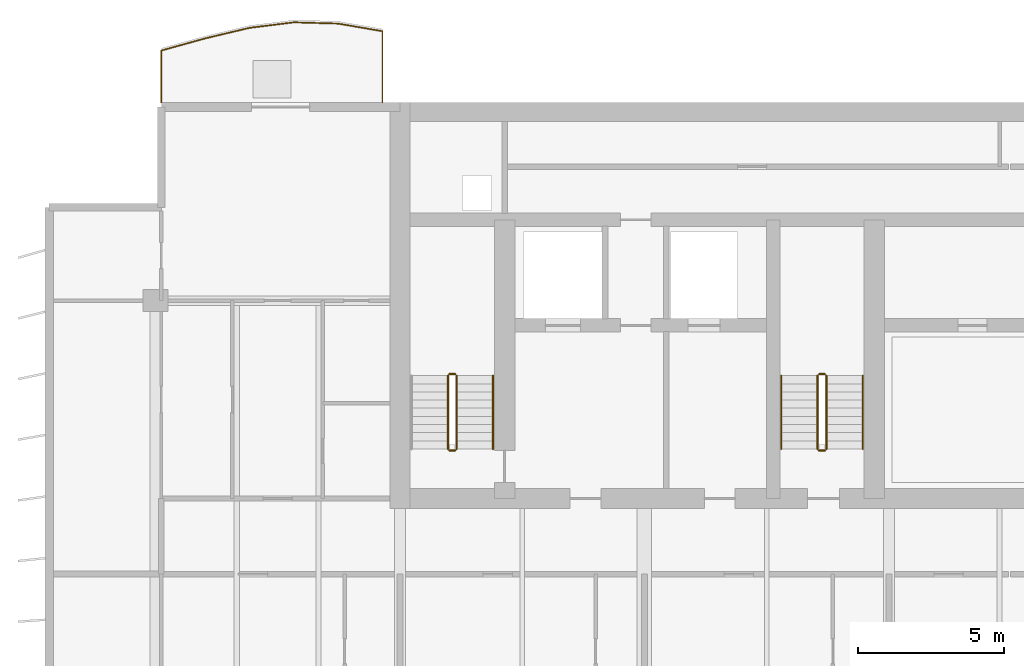
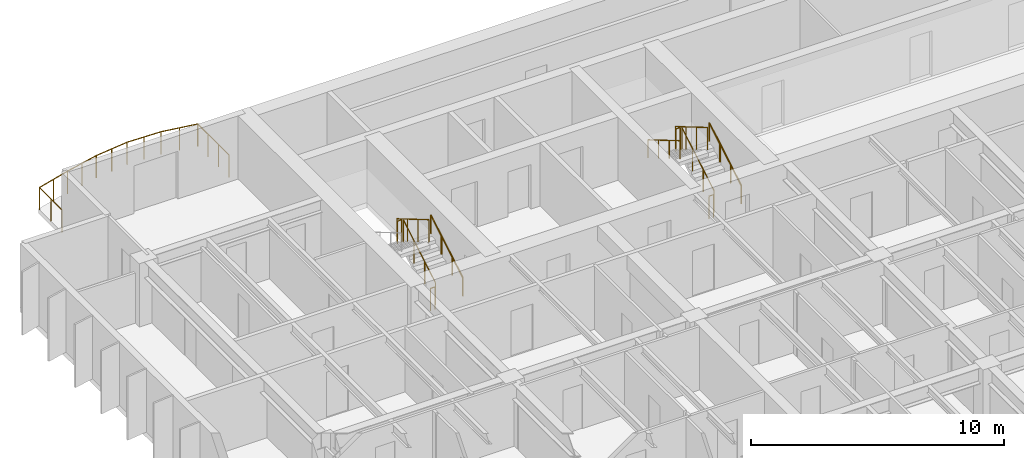
# One storey, part 17 of 19: 12 railings.
"""IFC4 building model written with IfcOpenShell, lengths in metres."""

from ifc_helpers import new_model, si_unit, direction, frame, origin, origin_2d, place, context, subcontext, project, spatial, circle, extrude, material, type_object, element, save


model = new_model("IFC4")

# Units and contexts
model_context = context("Model", 3, precision=1e-05, world=origin(), true_north=direction((0.0, 1.0)))
body_context = subcontext(model_context, "Body", "Model", "MODEL_VIEW")
ifc_project = project(units=[si_unit("LENGTHUNIT", "METRE"), si_unit("AREAUNIT", "SQUARE_METRE"), si_unit("VOLUMEUNIT", "CUBIC_METRE"), si_unit("PLANEANGLEUNIT", "RADIAN"), si_unit("MASSUNIT", "GRAM", prefix="KILO")], contexts=[model_context])

# Site, building, storey
site_placement = place(None, origin())
site = spatial("IfcSite", under=ifc_project, at=site_placement, CompositionType="ELEMENT")
building_placement = place(site_placement, origin())
building = spatial("IfcBuilding", under=site, at=building_placement, Name="Caelmar Bay Residences", CompositionType="ELEMENT")
storey_placement = place(building_placement, frame((0.0, 0.0, 214.800048828125)))
storey = spatial("IfcBuildingStorey", under=building, at=storey_placement, Name="L60", CompositionType="ELEMENT", Elevation=214.800048828125)

# Railings
ifc_material_1 = material(Name="Anodised bronze handrail with laminated hurricane glass infill", Category="glass")
railing_type_1 = type_object("IfcRailingType", Name="RL-BAL-1100", PredefinedType="BALUSTRADE", material=ifc_material_1)
railing_1_placement = place(storey_placement, frame((17.699951171875, 50.60009765625, 0.0)))
element("IfcRailing", 1, at=railing_1_placement, inside=storey, type_object=railing_type_1, Name="L60 north_west Balcony Balustrade", PredefinedType="BALUSTRADE", context=body_context, shape_type="SweptSolid", body=[
    extrude(circle(Radius=0.02392578125, at=origin_2d()), frame((0.0, 0.0, 1.076171875), z_axis=(0.0, 1.0, 0.0), x_axis=(-1.0, 0.0, 0.0)), (0.0, 0.0, 1.0), 2.45166015625),
    extrude(circle(Radius=0.02392578125, at=origin_2d()), frame((0.0, 2.45166015625, 1.076171875), z_axis=(-0.985445490472, 0.169991721293, 0.0), x_axis=(-0.169991721293, -0.985445490472, 0.0)), (0.0, 0.0, 1.0), 1.54248046875),
    extrude(circle(Radius=0.02392578125, at=origin_2d()), frame((-1.52001953125, 2.7138671875, 1.076171875), z_axis=(-0.999582338318, 0.028898943286, 0.0), x_axis=(-0.028898943286, -0.999582338318, 0.0)), (0.0, 0.0, 1.0), 1.520751953125),
    extrude(circle(Radius=0.02392578125, at=origin_2d()), frame((-3.0400390625, 2.7578125, 1.076171875), z_axis=(-0.992438886558, -0.122739791624, 0.0), x_axis=(0.122739791624, -0.992438886558, 0.0)), (0.0, 0.0, 1.0), 1.531494140625),
    extrude(circle(Radius=0.02392578125, at=origin_2d()), frame((-4.56005859375, 2.56982421875, 1.076171875), z_axis=(-0.972881623136, -0.231303582689, 0.0), x_axis=(0.231303582689, -0.972881623136, 0.0)), (0.0, 0.0, 1.0), 1.562255859375),
    extrude(circle(Radius=0.02392578125, at=origin_2d()), frame((-6.079833984375, 2.20849609375, 1.076171875), z_axis=(-0.96381450531, -0.266573815956, 0.0), x_axis=(0.266573815956, -0.96381450531, 0.0)), (0.0, 0.0, 1.0), 1.5771484375),
    extrude(circle(Radius=0.02392578125, at=origin_2d()), frame((-7.599853515625, 1.7880859375, 1.076171875), z_axis=(0.0, -1.0, 0.0), x_axis=(1.0, 0.0, 0.0)), (0.0, 0.0, 1.0), 1.7880859375),
    extrude(circle(Radius=0.02099609375, at=origin_2d()), origin(), (0.0, 0.0, 1.0), 1.052001953125),
    extrude(circle(Radius=0.02099609375, at=origin_2d()), frame((0.0, 0.817138671875, 0.0)), (0.0, 0.0, 1.0), 1.052001953125),
    extrude(circle(Radius=0.02099609375, at=origin_2d()), frame((0.0, 1.634521484375, 0.0)), (0.0, 0.0, 1.0), 1.052001953125),
    extrude(circle(Radius=0.02099609375, at=origin_2d()), frame((0.0, 2.45166015625, 0.0)), (0.0, 0.0, 1.0), 1.052001953125),
    extrude(circle(Radius=0.02099609375, at=origin_2d()), frame((-0.760009765625, 2.582763671875, 0.0)), (0.0, 0.0, 1.0), 1.052001953125),
    extrude(circle(Radius=0.02099609375, at=origin_2d()), frame((-1.52001953125, 2.7138671875, 0.0)), (0.0, 0.0, 1.0), 1.052001953125),
    extrude(circle(Radius=0.02099609375, at=origin_2d()), frame((-2.280029296875, 2.73583984375, 0.0)), (0.0, 0.0, 1.0), 1.052001953125),
    extrude(circle(Radius=0.02099609375, at=origin_2d()), frame((-3.0400390625, 2.7578125, 0.0)), (0.0, 0.0, 1.0), 1.052001953125),
    extrude(circle(Radius=0.02099609375, at=origin_2d()), frame((-3.800048828125, 2.663818359375, 0.0)), (0.0, 0.0, 1.0), 1.052001953125),
    extrude(circle(Radius=0.02099609375, at=origin_2d()), frame((-4.56005859375, 2.56982421875, 0.0)), (0.0, 0.0, 1.0), 1.052001953125),
    extrude(circle(Radius=0.02099609375, at=origin_2d()), frame((-5.31982421875, 2.38916015625, 0.0)), (0.0, 0.0, 1.0), 1.052001953125),
    extrude(circle(Radius=0.02099609375, at=origin_2d()), frame((-6.079833984375, 2.20849609375, 0.0)), (0.0, 0.0, 1.0), 1.052001953125),
    extrude(circle(Radius=0.02099609375, at=origin_2d()), frame((-6.83984375, 1.998291015625, 0.0)), (0.0, 0.0, 1.0), 1.052001953125),
    extrude(circle(Radius=0.02099609375, at=origin_2d()), frame((-7.599853515625, 1.7880859375, 0.0)), (0.0, 0.0, 1.0), 1.052001953125),
    extrude(circle(Radius=0.02099609375, at=origin_2d()), frame((-7.599853515625, 0.89404296875, 0.0)), (0.0, 0.0, 1.0), 1.052001953125),
    extrude(circle(Radius=0.02099609375, at=origin_2d()), frame((-7.599853515625, 0.0, 0.0)), (0.0, 0.0, 1.0), 1.052001953125),
])
ifc_material_2 = material(Name="Painted galvanized steel stair guard 1100 mm", Category="steel")
railing_type_2 = type_object("IfcRailingType", Name="RL-GRD-1100", PredefinedType="GUARDRAIL", material=ifc_material_2)
railing_2_placement = place(storey_placement, frame((20.25, 38.699951171875, 0.1650390625)))
element("IfcRailing", 2, at=railing_2_placement, inside=storey, type_object=railing_type_2, Name="L60 ST1 stair guard 1", PredefinedType="GUARDRAIL", context=body_context, shape_type="SweptSolid", body=[
    extrude(circle(Radius=0.02392578125, at=origin_2d()), frame((0.0, 0.0, 1.076171875), z_axis=(0.0, 0.861560626758, 0.507654692109), x_axis=(-1.0, 0.0, 0.0)), (0.0, 0.0, 1.0), 2.925048828125),
    extrude(circle(Radius=0.02099609375, at=origin_2d()), origin(), (0.0, 0.0, 1.0), 1.052001953125),
    extrude(circle(Radius=0.02099609375, at=origin_2d()), frame((0.0, 0.840087890625, 0.494873046875)), (0.0, 0.0, 1.0), 1.052001953125),
    extrude(circle(Radius=0.02099609375, at=origin_2d()), frame((0.0, 1.679931640625, 0.989990234375)), (0.0, 0.0, 1.0), 1.052001953125),
    extrude(circle(Radius=0.02099609375, at=origin_2d()), frame((0.0, 2.52001953125, 1.48486328125)), (0.0, 0.0, 1.0), 1.052001953125),
])
railing_3_placement = place(storey_placement, frame((20.199951171875, 41.27001953125, 1.64990234375)))
element("IfcRailing", 3, at=railing_3_placement, inside=storey, type_object=railing_type_2, Name="L60 ST1 stair guard 2", PredefinedType="GUARDRAIL", context=body_context, shape_type="SweptSolid", body=[
    extrude(circle(Radius=0.02392578125, at=origin_2d()), frame((0.0, 0.0, 1.076171875), z_axis=(-1.0, 0.0, 0.0), x_axis=(0.0, -1.0, 0.0)), (0.0, 0.0, 1.0), 0.199951171875),
    extrude(circle(Radius=0.02099609375, at=origin_2d()), origin(), (0.0, 0.0, 1.0), 1.052001953125),
    extrude(circle(Radius=0.02099609375, at=origin_2d()), frame((-0.199951171875, 0.0, 0.0)), (0.0, 0.0, 1.0), 1.052001953125),
])
railing_4_placement = place(storey_placement, frame((19.949951171875, 41.219970703125, 1.81494140625)))
element("IfcRailing", 4, at=railing_4_placement, inside=storey, type_object=railing_type_2, Name="L60 ST1 stair guard 3", PredefinedType="GUARDRAIL", context=body_context, shape_type="SweptSolid", body=[
    extrude(circle(Radius=0.02392578125, at=origin_2d()), frame((0.0, 0.0, 1.076171875), z_axis=(0.0, -0.86152411907, 0.507716645641), x_axis=(1.0, 0.0, 0.0)), (0.0, 0.0, 1.0), 2.925048828125),
    extrude(circle(Radius=0.02099609375, at=origin_2d()), origin(), (0.0, 0.0, 1.0), 1.052001953125),
    extrude(circle(Radius=0.02099609375, at=origin_2d()), frame((0.0, -0.840087890625, 0.4951171875)), (0.0, 0.0, 1.0), 1.052001953125),
    extrude(circle(Radius=0.02099609375, at=origin_2d()), frame((0.0, -1.679931640625, 0.989990234375)), (0.0, 0.0, 1.0), 1.052001953125),
    extrude(circle(Radius=0.02099609375, at=origin_2d()), frame((0.0, -2.52001953125, 1.485107421875)), (0.0, 0.0, 1.0), 1.052001953125),
])
railing_5_placement = place(storey_placement, frame((20.199951171875, 38.64990234375, 0.0)))
element("IfcRailing", 5, at=railing_5_placement, inside=storey, type_object=railing_type_2, Name="L60 ST1 stair guard 4", PredefinedType="GUARDRAIL", context=body_context, shape_type="SweptSolid", body=[
    extrude(circle(Radius=0.02392578125, at=origin_2d()), frame((0.0, 0.0, 1.076171875), z_axis=(-1.0, 0.0, 0.0), x_axis=(0.0, -1.0, 0.0)), (0.0, 0.0, 1.0), 0.199951171875),
    extrude(circle(Radius=0.02099609375, at=origin_2d()), origin(), (0.0, 0.0, 1.0), 1.052001953125),
    extrude(circle(Radius=0.02099609375, at=origin_2d()), frame((-0.199951171875, 0.0, 0.0)), (0.0, 0.0, 1.0), 1.052001953125),
])
railing_6_placement = place(storey_placement, frame((32.949951171875, 38.699951171875, 0.1650390625)))
element("IfcRailing", 6, at=railing_6_placement, inside=storey, type_object=railing_type_2, Name="L60 ST3 stair guard 1", PredefinedType="GUARDRAIL", context=body_context, shape_type="SweptSolid", body=[
    extrude(circle(Radius=0.02392578125, at=origin_2d()), frame((0.0, 0.0, 1.076171875), z_axis=(0.0, 0.861560626758, 0.507654692109), x_axis=(-1.0, 0.0, 0.0)), (0.0, 0.0, 1.0), 2.925048828125),
    extrude(circle(Radius=0.02099609375, at=origin_2d()), origin(), (0.0, 0.0, 1.0), 1.052001953125),
    extrude(circle(Radius=0.02099609375, at=origin_2d()), frame((0.0, 0.840087890625, 0.494873046875)), (0.0, 0.0, 1.0), 1.052001953125),
    extrude(circle(Radius=0.02099609375, at=origin_2d()), frame((0.0, 1.679931640625, 0.989990234375)), (0.0, 0.0, 1.0), 1.052001953125),
    extrude(circle(Radius=0.02099609375, at=origin_2d()), frame((0.0, 2.52001953125, 1.48486328125)), (0.0, 0.0, 1.0), 1.052001953125),
])
railing_7_placement = place(storey_placement, frame((32.89990234375, 41.27001953125, 1.64990234375)))
element("IfcRailing", 7, at=railing_7_placement, inside=storey, type_object=railing_type_2, Name="L60 ST3 stair guard 2", PredefinedType="GUARDRAIL", context=body_context, shape_type="SweptSolid", body=[
    extrude(circle(Radius=0.02392578125, at=origin_2d()), frame((0.0, 0.0, 1.076171875), z_axis=(-1.0, 0.0, 0.0), x_axis=(0.0, -1.0, 0.0)), (0.0, 0.0, 1.0), 0.199951171875),
    extrude(circle(Radius=0.02099609375, at=origin_2d()), origin(), (0.0, 0.0, 1.0), 1.052001953125),
    extrude(circle(Radius=0.02099609375, at=origin_2d()), frame((-0.199951171875, 0.0, 0.0)), (0.0, 0.0, 1.0), 1.052001953125),
])
railing_8_placement = place(storey_placement, frame((32.64990234375, 41.219970703125, 1.81494140625)))
element("IfcRailing", 8, at=railing_8_placement, inside=storey, type_object=railing_type_2, Name="L60 ST3 stair guard 3", PredefinedType="GUARDRAIL", context=body_context, shape_type="SweptSolid", body=[
    extrude(circle(Radius=0.02392578125, at=origin_2d()), frame((0.0, 0.0, 1.076171875), z_axis=(0.0, -0.86152411907, 0.507716645641), x_axis=(1.0, 0.0, 0.0)), (0.0, 0.0, 1.0), 2.925048828125),
    extrude(circle(Radius=0.02099609375, at=origin_2d()), origin(), (0.0, 0.0, 1.0), 1.052001953125),
    extrude(circle(Radius=0.02099609375, at=origin_2d()), frame((0.0, -0.840087890625, 0.4951171875)), (0.0, 0.0, 1.0), 1.052001953125),
    extrude(circle(Radius=0.02099609375, at=origin_2d()), frame((0.0, -1.679931640625, 0.989990234375)), (0.0, 0.0, 1.0), 1.052001953125),
    extrude(circle(Radius=0.02099609375, at=origin_2d()), frame((0.0, -2.52001953125, 1.485107421875)), (0.0, 0.0, 1.0), 1.052001953125),
])
railing_9_placement = place(storey_placement, frame((32.89990234375, 38.64990234375, 0.0)))
element("IfcRailing", 9, at=railing_9_placement, inside=storey, type_object=railing_type_2, Name="L60 ST3 stair guard 4", PredefinedType="GUARDRAIL", context=body_context, shape_type="SweptSolid", body=[
    extrude(circle(Radius=0.02392578125, at=origin_2d()), frame((0.0, 0.0, 1.076171875), z_axis=(-1.0, 0.0, 0.0), x_axis=(0.0, -1.0, 0.0)), (0.0, 0.0, 1.0), 0.199951171875),
    extrude(circle(Radius=0.02099609375, at=origin_2d()), origin(), (0.0, 0.0, 1.0), 1.052001953125),
    extrude(circle(Radius=0.02099609375, at=origin_2d()), frame((-0.199951171875, 0.0, 0.0)), (0.0, 0.0, 1.0), 1.052001953125),
])
ifc_material_3 = material(Name="Brushed bronze stainless-steel tubular handrail 900 mm", Category="steel")
railing_type_3 = type_object("IfcRailingType", Name="RL-HND-900", PredefinedType="HANDRAIL", material=ifc_material_3)
for number, where, name in (
    (10, (21.5, 38.699951171875, 0.1650390625), "L60 ST1 stair handrail 1"),
    (11, (34.199951171875, 38.699951171875, 0.1650390625), "L60 ST3 stair handrail 1"),
):
    element("IfcRailing", number, at=place(storey_placement, frame(where)), inside=storey, type_object=railing_type_3, Name=name, PredefinedType="HANDRAIL", context=body_context, shape_type="SweptSolid", body=[
        extrude(circle(Radius=0.02392578125, at=origin_2d()), frame((0.0, 0.0, 0.8759765625), z_axis=(0.0, 0.861560626758, 0.507654692109), x_axis=(-1.0, 0.0, 0.0)), (0.0, 0.0, 1.0), 2.925048828125),
        extrude(circle(Radius=0.02099609375, at=origin_2d()), origin(), (0.0, 0.0, 1.0), 0.851806640625),
        extrude(circle(Radius=0.02099609375, at=origin_2d()), frame((0.0, 0.840087890625, 0.494873046875)), (0.0, 0.0, 1.0), 0.851806640625),
        extrude(circle(Radius=0.02099609375, at=origin_2d()), frame((0.0, 1.679931640625, 0.989990234375)), (0.0, 0.0, 1.0), 0.851806640625),
        extrude(circle(Radius=0.02099609375, at=origin_2d()), frame((0.0, 2.52001953125, 1.48486328125)), (0.0, 0.0, 1.0), 0.851806640625),
    ])
railing_10_placement = place(storey_placement, frame((31.39990234375, 41.219970703125, 1.81494140625)))
element("IfcRailing", 12, at=railing_10_placement, inside=storey, type_object=railing_type_3, Name="L60 ST3 stair handrail 2", PredefinedType="HANDRAIL", context=body_context, shape_type="SweptSolid", body=[
    extrude(circle(Radius=0.02392578125, at=origin_2d()), frame((0.0, 0.0, 0.8759765625), z_axis=(0.0, -0.86152411907, 0.507716645641), x_axis=(1.0, 0.0, 0.0)), (0.0, 0.0, 1.0), 2.925048828125),
    extrude(circle(Radius=0.02099609375, at=origin_2d()), origin(), (0.0, 0.0, 1.0), 0.851806640625),
    extrude(circle(Radius=0.02099609375, at=origin_2d()), frame((0.0, -0.840087890625, 0.4951171875)), (0.0, 0.0, 1.0), 0.851806640625),
    extrude(circle(Radius=0.02099609375, at=origin_2d()), frame((0.0, -1.679931640625, 0.989990234375)), (0.0, 0.0, 1.0), 0.851806640625),
    extrude(circle(Radius=0.02099609375, at=origin_2d()), frame((0.0, -2.52001953125, 1.485107421875)), (0.0, 0.0, 1.0), 0.851806640625),
])

save(model, "model.ifc")
